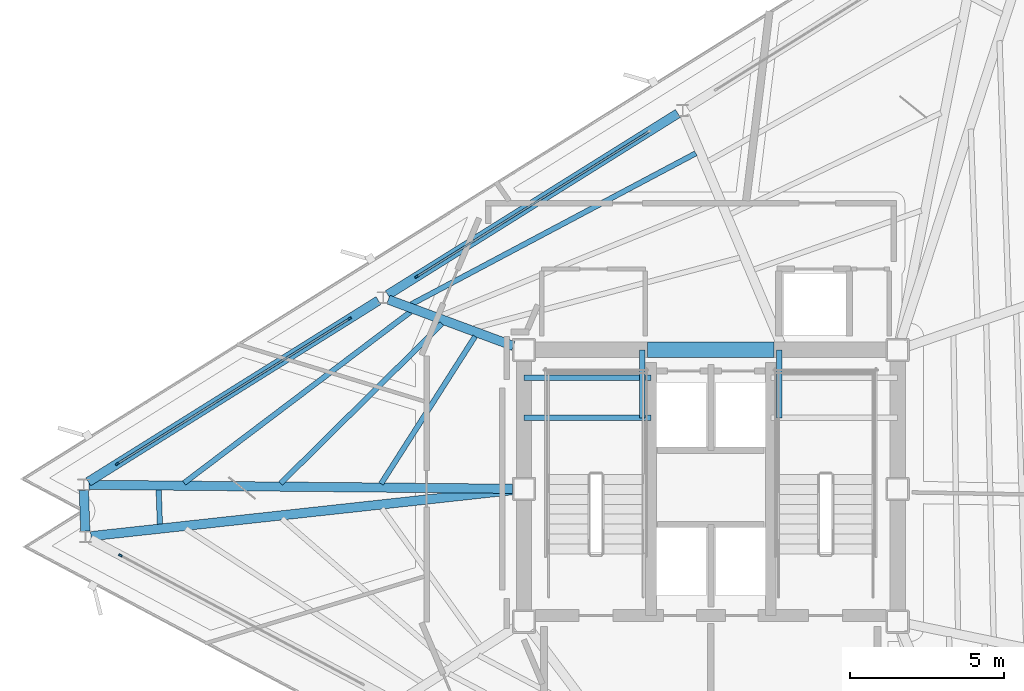
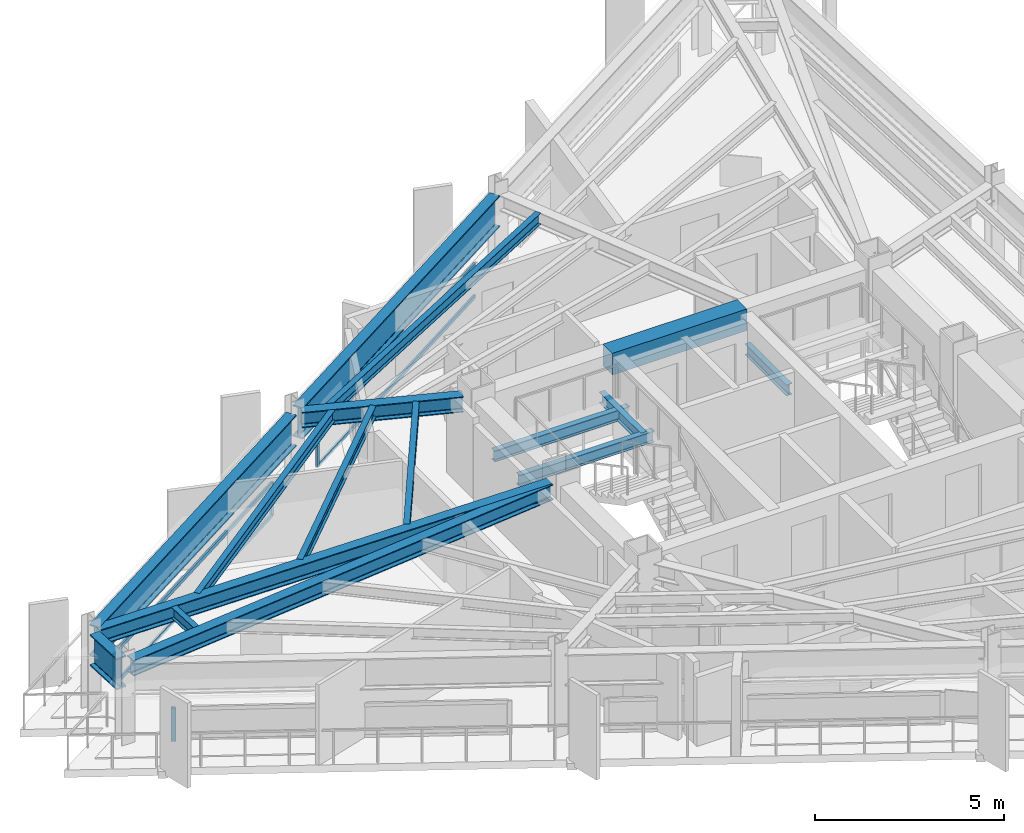
# One storey, part 4 of 13: 16 beams, 8 members, 3 elements without a shape of their own.
"""IFC4 building model written with IfcOpenShell, lengths in metres."""

from ifc_helpers import new_model, si_unit, direction, frame, origin, origin_2d, place, context, subcontext, project, spatial, rectangle, i_section, extrude, material, layer, layer_set, material_profile, profile_set, type_object, element, aggregate, save


model = new_model("IFC4")

# Units and contexts
model_context = context("Model", 3, precision=1e-05, world=origin(), true_north=direction((0.0, 1.0)))
body_context = subcontext(model_context, "Body", "Model", "MODEL_VIEW")
ifc_project = project(units=[si_unit("LENGTHUNIT", "METRE"), si_unit("AREAUNIT", "SQUARE_METRE"), si_unit("VOLUMEUNIT", "CUBIC_METRE"), si_unit("PLANEANGLEUNIT", "RADIAN"), si_unit("MASSUNIT", "GRAM", prefix="KILO")], contexts=[model_context])

# Site, building, storey
site_placement = place(None, origin())
site = spatial("IfcSite", under=ifc_project, at=site_placement, CompositionType="ELEMENT")
building_placement = place(site_placement, origin())
building = spatial("IfcBuilding", under=site, at=building_placement, Name="Rocaltana Carrier Exchange", CompositionType="ELEMENT")
storey_placement = place(building_placement, frame((0.0, 0.0, 211.840087890625)))
storey = spatial("IfcBuildingStorey", under=building, at=storey_placement, Name="L67", CompositionType="ELEMENT", Elevation=211.840087890625)

# Curtain wall, member
ifc_material_1 = material(Name="Aluminium 6063-T6", Category="aluminium")
ifc_layer = layer(ifc_material_1, 0.1201171875)
ifc_layer_set = layer_set([ifc_layer], Name="Aluminium 6063-T6")
curtain_wall_type = type_object("IfcCurtainWallType", Name="High-Altitude Thermal Curtain Wall CW-05", PredefinedType="NOTDEFINED", material=ifc_layer_set)
curtain_wall_1_placement = place(storey_placement, origin())
curtain_wall_1 = element("IfcCurtainWall", 1, at=curtain_wall_1_placement, inside=storey, type_object=curtain_wall_type, Name="L67 CW-05 Run CW-L67-F2S2", PredefinedType="NOTDEFINED")
ifc_material_2 = material(Name="Aluminium 6063-T6", Category="aluminium")
ifc_material_profile_1 = material_profile(ifc_material_2, rectangle(XDim=0.06005859375, YDim=0.1201171875, at=origin_2d()), Name="AL-60X120")
ifc_profile_set_1 = profile_set([ifc_material_profile_1], Name="Aluminium 6063-T6")
member_type_1 = type_object("IfcMemberType", Name="CW-05 Mullion AL-60X120", PredefinedType="MULLION", material=ifc_profile_set_1)
member_1_placement = place(storey_placement, frame((-9.52490234375, 6.870849609375, 0.0), z_axis=(0.0, 0.0, 1.0), x_axis=(0.529920452816, -0.848047353446, 0.0)))
member_1 = element("IfcMember", 2, at=member_1_placement, type_object=member_type_1, Name="CW-05 mullion 2", PredefinedType="MULLION", context=body_context, shape_type="SweptSolid", body=[
    extrude(rectangle(XDim=0.06005859375, YDim=0.1201171875, at=origin_2d()), origin(), (0.0, 0.0, 1.0), 1.077880859375),
])

# Curtain wall, members
curtain_wall_2_placement = place(storey_placement, origin())
curtain_wall_2 = element("IfcCurtainWall", 3, at=curtain_wall_2_placement, inside=storey, type_object=curtain_wall_type, Name="L67 CW-05 Run CW-L67-F2S3", PredefinedType="NOTDEFINED")
member_2_placement = place(storey_placement, frame((-11.696044921875, 5.514404296875, 0.0), z_axis=(0.0, 0.0, 1.0), x_axis=(0.529915422228, -0.848050496896, 0.0)))
member_2 = element("IfcMember", 4, at=member_2_placement, type_object=member_type_1, Name="CW-05 mullion 1", PredefinedType="MULLION", context=body_context, shape_type="SweptSolid", body=[
    extrude(rectangle(XDim=0.06005859375, YDim=0.1201171875, at=origin_2d()), origin(), (0.0, 0.0, 1.0), 1.077880859375),
])
member_3_placement = place(storey_placement, frame((-19.220947265625, 0.812255859375, 0.0), z_axis=(0.0, 0.0, 1.0), x_axis=(0.529915422228, -0.848050496896, 0.0)))
member_3 = element("IfcMember", 5, at=member_3_placement, type_object=member_type_1, Name="CW-05 mullion 2", PredefinedType="MULLION", context=body_context, shape_type="SweptSolid", body=[
    extrude(rectangle(XDim=0.06005859375, YDim=0.1201171875, at=origin_2d()), origin(), (0.0, 0.0, 1.0), 1.077880859375),
])

# Curtain wall, member
curtain_wall_3_placement = place(storey_placement, origin())
curtain_wall_3 = element("IfcCurtainWall", 6, at=curtain_wall_3_placement, inside=storey, type_object=curtain_wall_type, Name="L67 CW-05 Run CW-L67-F3S1", PredefinedType="NOTDEFINED")
member_4_placement = place(storey_placement, frame((-19.11767578125, -2.15087890625, 0.0), z_axis=(0.0, 0.0, 1.0), x_axis=(0.469483388841, 0.882941304732, 0.0)))
member_4 = element("IfcMember", 7, at=member_4_placement, type_object=member_type_1, Name="CW-05 mullion 1", PredefinedType="MULLION", context=body_context, shape_type="SweptSolid", body=[
    extrude(rectangle(XDim=0.06005859375, YDim=0.1201171875, at=origin_2d()), origin(), (0.0, 0.0, 1.0), 1.077880859375),
])
aggregate(curtain_wall_3, [member_4])

# Member
ifc_material_3 = material(Name="Aluminium 6063-T6", Category="aluminium")
ifc_material_profile_2 = material_profile(ifc_material_3, rectangle(XDim=0.06005859375, YDim=0.1201171875, at=origin_2d()), Name="AL-60X120")
ifc_profile_set_2 = profile_set([ifc_material_profile_2], Name="Aluminium 6063-T6")
member_type_2 = type_object("IfcMemberType", Name="CW-05 Transom AL-60X120", PredefinedType="USERDEFINED", material=ifc_profile_set_2)
member_5_placement = place(storey_placement, frame((-2.025390625, 11.55712890625, 0.030029296875), z_axis=(-0.848044988156, -0.529924238042, 0.0), x_axis=(0.529924238042, -0.848044988156, 0.0)))
member_5 = element("IfcMember", 8, at=member_5_placement, type_object=member_type_2, Name="CW-05 transom 1.1", ObjectType="TRANSOM", PredefinedType="USERDEFINED", context=body_context, shape_type="SweptSolid", body=[
    extrude(rectangle(XDim=0.06005859375, YDim=0.1201171875, at=origin_2d()), origin(), (0.0, 0.0, 1.0), 8.813232421875),
])

member_6_placement = place(storey_placement, frame((-2.025390625, 11.55712890625, 1.0478515625), z_axis=(-0.848044988156, -0.529924238042, 0.0), x_axis=(0.529924238042, -0.848044988156, 0.0)))
member_6 = element("IfcMember", 9, at=member_6_placement, type_object=member_type_2, Name="CW-05 transom 1.2", ObjectType="TRANSOM", PredefinedType="USERDEFINED", context=body_context, shape_type="SweptSolid", body=[
    extrude(rectangle(XDim=0.06005859375, YDim=0.1201171875, at=origin_2d()), origin(), (0.0, 0.0, 1.0), 8.813232421875),
])

aggregate(curtain_wall_1, [member_1, member_5, member_6])

member_7_placement = place(storey_placement, frame((-11.721435546875, 5.498291015625, 0.030029296875), z_axis=(-0.848057437019, -0.529904315435, 0.0), x_axis=(0.529904315435, -0.848057437019, 0.0)))
member_7 = element("IfcMember", 10, at=member_7_placement, type_object=member_type_2, Name="CW-05 transom 1.1", ObjectType="TRANSOM", PredefinedType="USERDEFINED", context=body_context, shape_type="SweptSolid", body=[
    extrude(rectangle(XDim=0.06005859375, YDim=0.1201171875, at=origin_2d()), origin(), (0.0, 0.0, 1.0), 8.813232421875),
])

member_8_placement = place(storey_placement, frame((-11.721435546875, 5.498291015625, 1.0478515625), z_axis=(-0.848057437019, -0.529904315435, 0.0), x_axis=(0.529904315435, -0.848057437019, 0.0)))
member_8 = element("IfcMember", 11, at=member_8_placement, type_object=member_type_2, Name="CW-05 transom 1.2", ObjectType="TRANSOM", PredefinedType="USERDEFINED", context=body_context, shape_type="SweptSolid", body=[
    extrude(rectangle(XDim=0.06005859375, YDim=0.1201171875, at=origin_2d()), origin(), (0.0, 0.0, 1.0), 8.813232421875),
])

aggregate(curtain_wall_2, [member_2, member_3, member_7, member_8])

# Beams
ifc_material_4 = material(Name="Concrete C60/75", Category="concrete")
ifc_material_profile_3 = material_profile(ifc_material_4, rectangle(XDim=0.5, YDim=0.699951171875, at=origin_2d()), Name="RC-BM-500X700")
ifc_profile_set_3 = profile_set([ifc_material_profile_3], Name="Concrete C60/75")
beam_type_1 = type_object("IfcBeamType", Name="Core Coupling Lintel 500x700", PredefinedType="LINTEL", material=ifc_profile_set_3)
beam_1_placement = place(storey_placement, frame((-2.050048828125, 4.5, 2.267822265625), z_axis=(1.0, 0.0, 0.0), x_axis=(0.0, 1.0, 0.0)))
element("IfcBeam", 12, at=beam_1_placement, inside=storey, type_object=beam_type_1, Name="L67 Core Coupling Lintel CL-N", PredefinedType="LINTEL", context=body_context, shape_type="SweptSolid", body=[
    extrude(rectangle(XDim=0.5, YDim=0.699951171875, at=origin_2d()), origin(), (0.0, 0.0, 1.0), 4.10009765625),
])
ifc_material_5 = material(Name="Steel S355", Category="steel")
ifc_material_profile_4 = material_profile(ifc_material_5, i_section(OverallWidth=0.172119140625, OverallDepth=0.35791015625, WebThickness=0.0078125, FlangeThickness=0.01318359375, FilletRadius=0.011962890625, at=origin_2d()), Name="W14X38")
ifc_profile_set_4 = profile_set([ifc_material_profile_4], Name="Steel S355")
beam_type_2 = type_object("IfcBeamType", Name="Floor Joist W14X38", PredefinedType="JOIST", material=ifc_profile_set_4)
for number, where, z_axis, x_axis, name in (
    (13, (-6.050048828125, 2.300048828125, 1.140869140625), (1.0, 0.0, 0.0), (0.0, 1.0, 0.0), "L67 ST-1 Landing Carrier 1"),
    (14, (-6.050048828125, 3.60009765625, 1.140869140625), (1.0, 0.0, 0.0), (0.0, 1.0, 0.0), "L67 ST-1 Landing Carrier 2"),
):
    element("IfcBeam", number, at=place(storey_placement, frame(where, z_axis=z_axis, x_axis=x_axis)), inside=storey, type_object=beam_type_2, Name=name, PredefinedType="JOIST", context=body_context, shape_type="SweptSolid", body=[
        extrude(i_section(OverallWidth=0.172119140625, OverallDepth=0.35791015625, WebThickness=0.0078125, FlangeThickness=0.01318359375, FilletRadius=0.011962890625, at=origin_2d()), origin(), (0.0, 0.0, 1.0), 4.110107421875),
    ])
for number, where, z_axis, x_axis, name in (
    (15, (-2.219970703125, 2.300048828125, 1.140869140625), (0.0, 1.0, 0.0), (-1.0, 0.0, 0.0), "L67 ST-1 Landing Cross Trimmer"),
    (16, (2.219970703125, 2.300048828125, 1.140869140625), (0.0, 1.0, 0.0), (-1.0, 0.0, 0.0), "L67 ST-2 Landing Cross Trimmer"),
):
    element("IfcBeam", number, at=place(storey_placement, frame(where, z_axis=z_axis, x_axis=x_axis)), inside=storey, type_object=beam_type_2, Name=name, PredefinedType="JOIST", context=body_context, shape_type="SweptSolid", body=[
        extrude(i_section(OverallWidth=0.172119140625, OverallDepth=0.35791015625, WebThickness=0.0078125, FlangeThickness=0.01318359375, FilletRadius=0.011962890625, at=origin_2d()), origin(), (0.0, 0.0, 1.0), 2.199951171875),
    ])
beam_2_placement = place(storey_placement, frame((-0.48681640625, 10.8662109375, 2.43896484375), z_axis=(-0.883312459796, -0.468784703643, 0.0), x_axis=(0.468784703643, -0.883312459796, 0.0)))
element("IfcBeam", 17, at=beam_2_placement, inside=storey, type_object=beam_type_2, Name="FJ-L67-06-3", PredefinedType="JOIST", context=body_context, shape_type="SweptSolid", body=[
    extrude(i_section(OverallWidth=0.172119140625, OverallDepth=0.35791015625, WebThickness=0.0078125, FlangeThickness=0.01318359375, FilletRadius=0.011962890625, at=origin_2d()), origin(), (0.0, 0.0, 1.0), 10.439453125),
])
beam_3_placement = place(storey_placement, frame((-7.63232421875, 4.937255859375, 2.43896484375), z_axis=(-0.537927212261, -0.842991289581, 0.0), x_axis=(0.842991289581, -0.537927212261, 0.0)))
element("IfcBeam", 18, at=beam_3_placement, inside=storey, type_object=beam_type_2, Name="FJ-L67-07-1", PredefinedType="JOIST", context=body_context, shape_type="SweptSolid", body=[
    extrude(i_section(OverallWidth=0.172119140625, OverallDepth=0.35791015625, WebThickness=0.0078125, FlangeThickness=0.01318359375, FilletRadius=0.011962890625, at=origin_2d()), origin(), (0.0, 0.0, 1.0), 5.660400390625),
])
beam_4_placement = place(storey_placement, frame((-8.706298828125, 5.3466796875, 2.43896484375), z_axis=(-0.710816811973, -0.703377181757, 0.0), x_axis=(0.703377181757, -0.710816811973, 0.0)))
element("IfcBeam", 19, at=beam_4_placement, inside=storey, type_object=beam_type_2, Name="FJ-L67-07-2", PredefinedType="JOIST", context=body_context, shape_type="SweptSolid", body=[
    extrude(i_section(OverallWidth=0.172119140625, OverallDepth=0.35791015625, WebThickness=0.0078125, FlangeThickness=0.01318359375, FilletRadius=0.011962890625, at=origin_2d()), origin(), (0.0, 0.0, 1.0), 7.350830078125),
])
beam_5_placement = place(storey_placement, frame((-9.72216796875, 5.7333984375, 2.43896484375), z_axis=(-0.797798617064, -0.602924013961, 0.0), x_axis=(0.602924013961, -0.797798617064, 0.0)))
element("IfcBeam", 20, at=beam_5_placement, inside=storey, type_object=beam_type_2, Name="FJ-L67-07-3", PredefinedType="JOIST", context=body_context, shape_type="SweptSolid", body=[
    extrude(i_section(OverallWidth=0.172119140625, OverallDepth=0.35791015625, WebThickness=0.0078125, FlangeThickness=0.01318359375, FilletRadius=0.011962890625, at=origin_2d()), origin(), (0.0, 0.0, 1.0), 9.19189453125),
])
beam_6_placement = place(storey_placement, frame((-17.8779296875, -0.03271484375, 2.43896484375), z_axis=(0.034954429443, -0.999388907214, 0.0), x_axis=(0.999388907214, 0.034954429443, 0.0)))
element("IfcBeam", 21, at=beam_6_placement, inside=storey, type_object=beam_type_2, Name="FJ-L67-08-3", PredefinedType="JOIST", context=body_context, shape_type="SweptSolid", body=[
    extrude(i_section(OverallWidth=0.172119140625, OverallDepth=0.35791015625, WebThickness=0.0078125, FlangeThickness=0.01318359375, FilletRadius=0.011962890625, at=origin_2d()), origin(), (0.0, 0.0, 1.0), 1.110595703125),
])
ifc_material_6 = material(Name="Steel S460", Category="steel")
ifc_material_profile_5 = material_profile(ifc_material_6, i_section(OverallWidth=0.302001953125, OverallDepth=1.008056640625, WebThickness=0.02099609375, FlangeThickness=0.0400390625, FilletRadius=0.030029296875, at=origin_2d()), Name="HEM1000")
ifc_profile_set_5 = profile_set([ifc_material_profile_5], Name="Steel S460")
beam_type_3 = type_object("IfcBeamType", Name="Transfer Ring Girder HEM1000", PredefinedType="USERDEFINED", material=ifc_profile_set_5)
beam_7_placement = place(storey_placement, frame((-1.066650390625, 12.15625, 2.114013671875), z_axis=(-0.84804288723, -0.529927600167, 0.0), x_axis=(0.529927600167, -0.84804288723, 0.0)))
element("IfcBeam", 22, at=beam_7_placement, inside=storey, type_object=beam_type_3, Name="SP-L67-06", ObjectType="TRANSFER GIRDER", PredefinedType="USERDEFINED", context=body_context, shape_type="SweptSolid", body=[
    extrude(i_section(OverallWidth=0.302001953125, OverallDepth=1.008056640625, WebThickness=0.02099609375, FlangeThickness=0.0400390625, FilletRadius=0.030029296875, at=origin_2d()), origin(), (0.0, 0.0, 1.0), 11.074462890625),
])
beam_8_placement = place(storey_placement, frame((-10.7626953125, 6.097412109375, 2.114013671875), z_axis=(-0.848052794435, -0.529911745342, 0.0), x_axis=(0.529911745342, -0.848052794435, 0.0)))
element("IfcBeam", 23, at=beam_8_placement, inside=storey, type_object=beam_type_3, Name="SP-L67-07", ObjectType="TRANSFER GIRDER", PredefinedType="USERDEFINED", context=body_context, shape_type="SweptSolid", body=[
    extrude(i_section(OverallWidth=0.302001953125, OverallDepth=1.008056640625, WebThickness=0.02099609375, FlangeThickness=0.0400390625, FilletRadius=0.030029296875, at=origin_2d()), origin(), (0.0, 0.0, 1.0), 11.07421875),
])
beam_9_placement = place(storey_placement, frame((-20.30029296875, -0.04541015625, 2.114013671875), z_axis=(0.034798366397, -0.999394353444, 0.0), x_axis=(0.999394353444, 0.034798366397, 0.0)))
element("IfcBeam", 24, at=beam_9_placement, inside=storey, type_object=beam_type_3, Name="SP-L67-08", ObjectType="TRANSFER GIRDER", PredefinedType="USERDEFINED", context=body_context, shape_type="SweptSolid", body=[
    extrude(i_section(OverallWidth=0.302001953125, OverallDepth=1.008056640625, WebThickness=0.02099609375, FlangeThickness=0.0400390625, FilletRadius=0.030029296875, at=origin_2d()), origin(), (0.0, 0.0, 1.0), 1.325927734375),
])
ifc_material_7 = material(Name="Steel S355", Category="steel")
ifc_material_profile_6 = material_profile(ifc_material_7, i_section(OverallWidth=0.300048828125, OverallDepth=0.5, WebThickness=0.014404296875, FlangeThickness=0.028076171875, FilletRadius=0.027099609375, at=origin_2d()), Name="HEB500")
ifc_profile_set_6 = profile_set([ifc_material_profile_6], Name="Steel S355")
beam_type_4 = type_object("IfcBeamType", Name="Upper Radial Girder HEB500", PredefinedType="BEAM", material=ifc_profile_set_6)
beam_10_placement = place(storey_placement, frame((-6.39404296875, 4.627685546875, 2.367919921875), z_axis=(-0.937511191084, 0.34795512152, 0.0), x_axis=(-0.34795512152, -0.937511191084, 0.0)))
element("IfcBeam", 25, at=beam_10_placement, inside=storey, type_object=beam_type_4, Name="RG-L67-07", PredefinedType="BEAM", context=body_context, shape_type="SweptSolid", body=[
    extrude(i_section(OverallWidth=0.300048828125, OverallDepth=0.5, WebThickness=0.014404296875, FlangeThickness=0.028076171875, FilletRadius=0.027099609375, at=origin_2d()), origin(), (0.0, 0.0, 1.0), 4.31787109375),
])
beam_11_placement = place(storey_placement, frame((-6.4169921875, 0.00341796875, 2.367919921875), z_axis=(-0.999955969385, 0.009383991236, 0.0), x_axis=(-0.009383991236, -0.999955969385, 0.0)))
element("IfcBeam", 26, at=beam_11_placement, inside=storey, type_object=beam_type_4, Name="RG-L67-08", PredefinedType="BEAM", context=body_context, shape_type="SweptSolid", body=[
    extrude(i_section(OverallWidth=0.300048828125, OverallDepth=0.5, WebThickness=0.014404296875, FlangeThickness=0.028076171875, FilletRadius=0.027099609375, at=origin_2d()), origin(), (0.0, 0.0, 1.0), 13.710693359375),
])
beam_12_placement = place(storey_placement, frame((-6.414794921875, -0.039794921875, 2.367919921875), z_axis=(-0.994093254209, -0.108529267646, 0.0), x_axis=(0.108529267646, -0.994093254209, 0.0)))
element("IfcBeam", 27, at=beam_12_placement, inside=storey, type_object=beam_type_4, Name="RG-L67-09", PredefinedType="BEAM", context=body_context, shape_type="SweptSolid", body=[
    extrude(i_section(OverallWidth=0.300048828125, OverallDepth=0.5, WebThickness=0.014404296875, FlangeThickness=0.028076171875, FilletRadius=0.027099609375, at=origin_2d()), origin(), (0.0, 0.0, 1.0), 13.735595703125),
])

save(model, "model.ifc")
